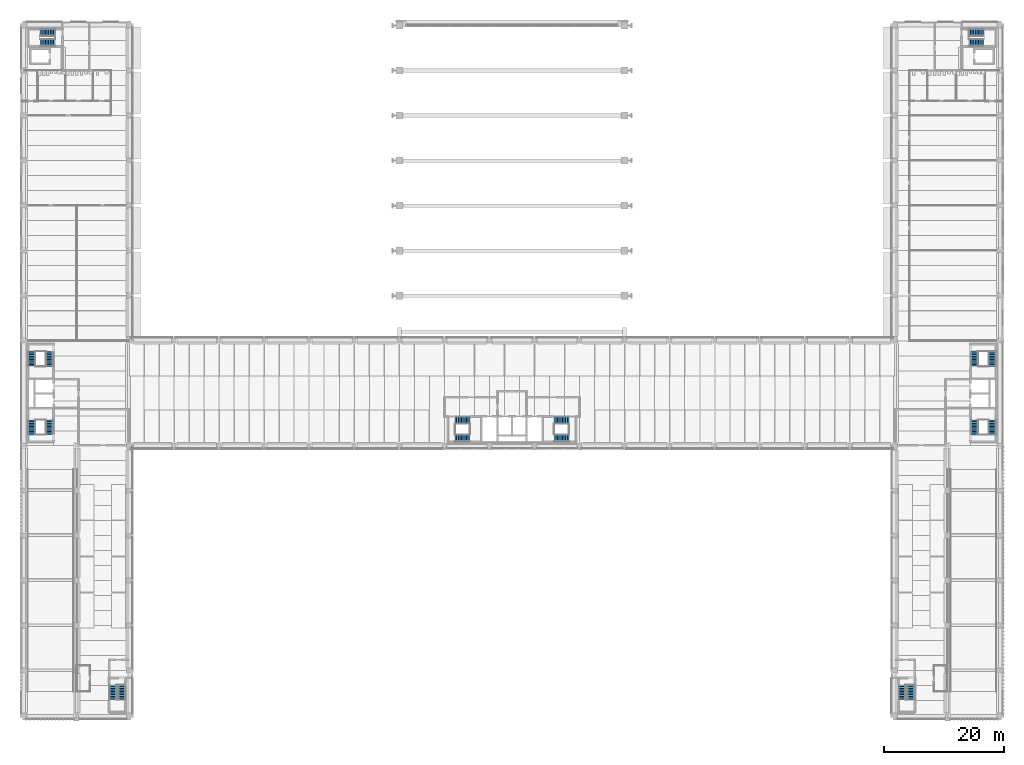
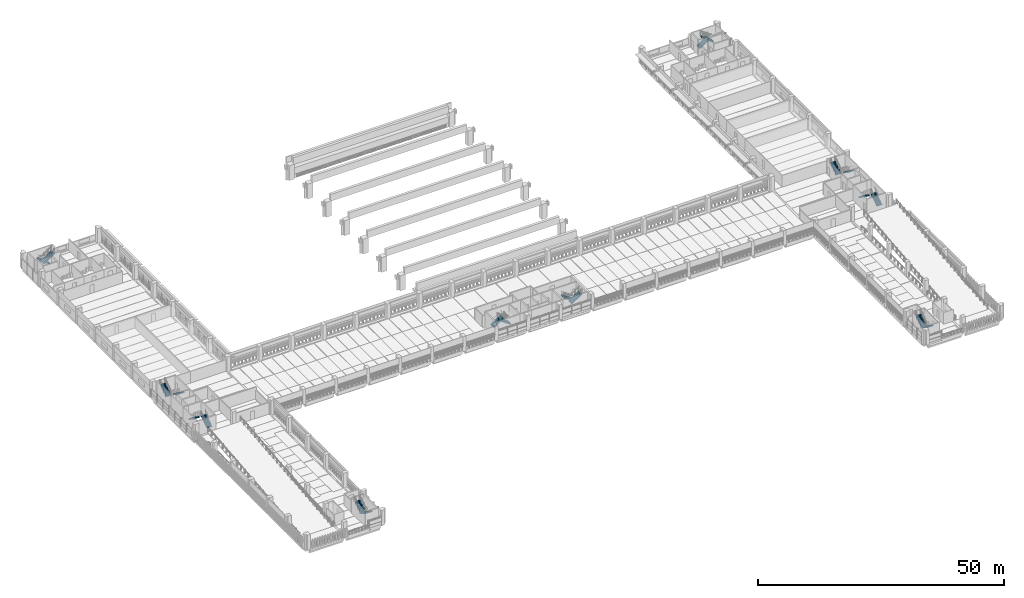
# One storey, part 40 of 61: 20 stair flights, 10 elements without a shape of their own.
"""IFC4 building model written with IfcOpenShell, lengths in metres."""

from ifc_helpers import new_model, si_unit, direction, frame, origin, place, context, subcontext, project, spatial, polyline, outline, extrude, material, type_object, element, aggregate, save


model = new_model("IFC4")

# Units and contexts
model_context = context("Model", 3, precision=1e-05, world=origin(), true_north=direction((0.0, 1.0)))
body_context = subcontext(model_context, "Body", "Model", "MODEL_VIEW")
ifc_project = project(units=[si_unit("LENGTHUNIT", "METRE"), si_unit("AREAUNIT", "SQUARE_METRE"), si_unit("VOLUMEUNIT", "CUBIC_METRE"), si_unit("PLANEANGLEUNIT", "RADIAN"), si_unit("MASSUNIT", "GRAM", prefix="KILO")], contexts=[model_context])

# Site, building, storey
site_placement = place(None, origin())
site = spatial("IfcSite", under=ifc_project, at=site_placement, CompositionType="ELEMENT")
building_placement = place(site_placement, origin())
building = spatial("IfcBuilding", under=site, at=building_placement, Name="Cour d'Honneur Mobility Palace", CompositionType="ELEMENT")
storey_placement = place(building_placement, frame((0.0, 0.0, 11.89990234375)))
storey = spatial("IfcBuildingStorey", under=building, at=storey_placement, Name="L03", CompositionType="ELEMENT", Elevation=11.89990234375)

# Stair, stair flights
ifc_material_1 = material(Name="Concrete C50", Category="concrete")
stair_type = type_object("IfcStairType", Name="Stair 20 risers", PredefinedType="HALF_TURN_STAIR", material=ifc_material_1)
stair_1_placement = place(storey_placement, origin())
stair_1 = element("IfcStair", 1, at=stair_1_placement, inside=storey, type_object=stair_type, Name="Stair ST-CW1", PredefinedType="HALF_TURN_STAIR")
ifc_material_2 = material(Name="Concrete C50", Category="concrete")
stair_flight_type = type_object("IfcStairFlightType", Name="Stair flight 1250", PredefinedType="STRAIGHT", material=ifc_material_2)
stair_flight_1_placement = place(storey_placement, frame((4.175048828125, 46.77490234375, 0.0), z_axis=(0.0, 0.0, 1.0), x_axis=(0.0, 1.0, 0.0)))
stair_flight_1 = element("IfcStairFlight", 2, at=stair_flight_1_placement, type_object=stair_flight_type, Name="ST-CW1 flight 1", NumberOfRisers=10, NumberOfTreads=9, PredefinedType="STRAIGHT", RiserHeight=0.185, TreadLength=0.27, context=body_context, shape_type="SweptSolid", body=[
    extrude(outline(polyline([(0.0, 0.0), (0.0, 0.18505859375), (0.27001953125, 0.18505859375), (0.27001953125, 0.3701171875), (0.5400390625, 0.3701171875), (0.5400390625, 0.554931640625), (0.81005859375, 0.554931640625), (0.81005859375, 0.739990234375), (1.080078125, 0.739990234375), (1.080078125, 0.925048828125), (1.35009765625, 0.925048828125), (1.35009765625, 1.110107421875), (1.6201171875, 1.110107421875), (1.6201171875, 1.294921875), (1.889892578125, 1.294921875), (1.889892578125, 1.47998046875), (2.159912109375, 1.47998046875), (2.159912109375, 1.6650390625), (2.429931640625, 1.6650390625), (2.47998046875, 1.6650390625), (2.47998046875, 1.4833984375), (0.26513671875, 0.0), (0.0, 0.0)])), frame((0.0, 0.625, 0.0), z_axis=(0.0, -1.0, 0.0), x_axis=(1.0, 0.0, 0.0)), (0.0, 0.0, 1.0), 1.25),
])
stair_flight_2_placement = place(storey_placement, frame((1.199951171875, 49.205078125, 1.85009765625), z_axis=(0.0, 0.0, 1.0), x_axis=(0.0, -1.0, 0.0)))
stair_flight_2 = element("IfcStairFlight", 3, at=stair_flight_2_placement, type_object=stair_flight_type, Name="ST-CW1 flight 2", NumberOfRisers=10, NumberOfTreads=9, PredefinedType="STRAIGHT", RiserHeight=0.185, TreadLength=0.27, context=body_context, shape_type="SweptSolid", body=[
    extrude(outline(polyline([(0.0, 0.0), (0.0, 0.18505859375), (0.27001953125, 0.18505859375), (0.27001953125, 0.3701171875), (0.5400390625, 0.3701171875), (0.5400390625, 0.554931640625), (0.81005859375, 0.554931640625), (0.81005859375, 0.739990234375), (1.080078125, 0.739990234375), (1.080078125, 0.925048828125), (1.35009765625, 0.925048828125), (1.35009765625, 1.110107421875), (1.6201171875, 1.110107421875), (1.6201171875, 1.294921875), (1.889892578125, 1.294921875), (1.889892578125, 1.47998046875), (2.159912109375, 1.47998046875), (2.159912109375, 1.6650390625), (2.429931640625, 1.6650390625), (2.47998046875, 1.6650390625), (2.47998046875, 1.4833984375), (0.26513671875, 0.0), (0.0, 0.0)])), frame((0.0, 0.625, 0.0), z_axis=(0.0, -1.0, 0.0), x_axis=(1.0, 0.0, 0.0)), (0.0, 0.0, 1.0), 1.25),
])
aggregate(stair_1, [stair_flight_1, stair_flight_2])

stair_2_placement = place(storey_placement, origin())
stair_2 = element("IfcStair", 4, at=stair_2_placement, inside=storey, type_object=stair_type, Name="Stair ST-CW2", PredefinedType="HALF_TURN_STAIR")
stair_flight_3_placement = place(storey_placement, frame((4.175048828125, 60.625, 0.0), z_axis=(0.0, 0.0, 1.0), x_axis=(0.0, -1.0, 0.0)))
stair_flight_3 = element("IfcStairFlight", 5, at=stair_flight_3_placement, type_object=stair_flight_type, Name="ST-CW2 flight 1", NumberOfRisers=10, NumberOfTreads=9, PredefinedType="STRAIGHT", RiserHeight=0.185, TreadLength=0.27, context=body_context, shape_type="SweptSolid", body=[
    extrude(outline(polyline([(0.0, 0.0), (0.0, 0.18505859375), (0.27001953125, 0.18505859375), (0.27001953125, 0.3701171875), (0.5400390625, 0.3701171875), (0.5400390625, 0.554931640625), (0.81005859375, 0.554931640625), (0.81005859375, 0.739990234375), (1.080078125, 0.739990234375), (1.080078125, 0.925048828125), (1.35009765625, 0.925048828125), (1.35009765625, 1.110107421875), (1.6201171875, 1.110107421875), (1.6201171875, 1.294921875), (1.889892578125, 1.294921875), (1.889892578125, 1.47998046875), (2.159912109375, 1.47998046875), (2.159912109375, 1.6650390625), (2.429931640625, 1.6650390625), (2.47998046875, 1.6650390625), (2.47998046875, 1.4833984375), (0.26513671875, 0.0), (0.0, 0.0)])), frame((0.0, 0.625, 0.0), z_axis=(0.0, -1.0, 0.0), x_axis=(1.0, 0.0, 0.0)), (0.0, 0.0, 1.0), 1.25),
])
stair_flight_4_placement = place(storey_placement, frame((1.199951171875, 58.195068359375, 1.85009765625), z_axis=(0.0, 0.0, 1.0), x_axis=(0.0, 1.0, 0.0)))
stair_flight_4 = element("IfcStairFlight", 6, at=stair_flight_4_placement, type_object=stair_flight_type, Name="ST-CW2 flight 2", NumberOfRisers=10, NumberOfTreads=9, PredefinedType="STRAIGHT", RiserHeight=0.185, TreadLength=0.27, context=body_context, shape_type="SweptSolid", body=[
    extrude(outline(polyline([(0.0, 0.0), (0.0, 0.18505859375), (0.27001953125, 0.18505859375), (0.27001953125, 0.3701171875), (0.5400390625, 0.3701171875), (0.5400390625, 0.554931640625), (0.81005859375, 0.554931640625), (0.81005859375, 0.739990234375), (1.080078125, 0.739990234375), (1.080078125, 0.925048828125), (1.35009765625, 0.925048828125), (1.35009765625, 1.110107421875), (1.6201171875, 1.110107421875), (1.6201171875, 1.294921875), (1.889892578125, 1.294921875), (1.889892578125, 1.47998046875), (2.159912109375, 1.47998046875), (2.159912109375, 1.6650390625), (2.429931640625, 1.6650390625), (2.47998046875, 1.6650390625), (2.47998046875, 1.4833984375), (0.26513671875, 0.0), (0.0, 0.0)])), frame((0.0, 0.625, 0.0), z_axis=(0.0, -1.0, 0.0), x_axis=(1.0, 0.0, 0.0)), (0.0, 0.0, 1.0), 1.25),
])
aggregate(stair_2, [stair_flight_3, stair_flight_4])

stair_3_placement = place(storey_placement, origin())
stair_3 = element("IfcStair", 7, at=stair_3_placement, inside=storey, type_object=stair_type, Name="Stair ST-CE1", PredefinedType="HALF_TURN_STAIR")
stair_flight_5_placement = place(storey_placement, frame((161.10009765625, 46.77490234375, 0.0), z_axis=(0.0, 0.0, 1.0), x_axis=(0.0, 1.0, 0.0)))
stair_flight_5 = element("IfcStairFlight", 8, at=stair_flight_5_placement, type_object=stair_flight_type, Name="ST-CE1 flight 1", NumberOfRisers=10, NumberOfTreads=9, PredefinedType="STRAIGHT", RiserHeight=0.185, TreadLength=0.27, context=body_context, shape_type="SweptSolid", body=[
    extrude(outline(polyline([(0.0, 0.0), (0.0, 0.18505859375), (0.27001953125, 0.18505859375), (0.27001953125, 0.3701171875), (0.5400390625, 0.3701171875), (0.5400390625, 0.554931640625), (0.81005859375, 0.554931640625), (0.81005859375, 0.739990234375), (1.080078125, 0.739990234375), (1.080078125, 0.925048828125), (1.35009765625, 0.925048828125), (1.35009765625, 1.110107421875), (1.6201171875, 1.110107421875), (1.6201171875, 1.294921875), (1.889892578125, 1.294921875), (1.889892578125, 1.47998046875), (2.159912109375, 1.47998046875), (2.159912109375, 1.6650390625), (2.429931640625, 1.6650390625), (2.47998046875, 1.6650390625), (2.47998046875, 1.4833984375), (0.26513671875, 0.0), (0.0, 0.0)])), frame((0.0, 0.625, 0.0), z_axis=(0.0, -1.0, 0.0), x_axis=(1.0, 0.0, 0.0)), (0.0, 0.0, 1.0), 1.25),
])
stair_flight_6_placement = place(storey_placement, frame((158.125, 49.205078125, 1.85009765625), z_axis=(0.0, 0.0, 1.0), x_axis=(0.0, -1.0, 0.0)))
stair_flight_6 = element("IfcStairFlight", 9, at=stair_flight_6_placement, type_object=stair_flight_type, Name="ST-CE1 flight 2", NumberOfRisers=10, NumberOfTreads=9, PredefinedType="STRAIGHT", RiserHeight=0.185, TreadLength=0.27, context=body_context, shape_type="SweptSolid", body=[
    extrude(outline(polyline([(0.0, 0.0), (0.0, 0.18505859375), (0.27001953125, 0.18505859375), (0.27001953125, 0.3701171875), (0.5400390625, 0.3701171875), (0.5400390625, 0.554931640625), (0.81005859375, 0.554931640625), (0.81005859375, 0.739990234375), (1.080078125, 0.739990234375), (1.080078125, 0.925048828125), (1.35009765625, 0.925048828125), (1.35009765625, 1.110107421875), (1.6201171875, 1.110107421875), (1.6201171875, 1.294921875), (1.889892578125, 1.294921875), (1.889892578125, 1.47998046875), (2.159912109375, 1.47998046875), (2.159912109375, 1.6650390625), (2.429931640625, 1.6650390625), (2.47998046875, 1.6650390625), (2.47998046875, 1.4833984375), (0.26513671875, 0.0), (0.0, 0.0)])), frame((0.0, 0.625, 0.0), z_axis=(0.0, -1.0, 0.0), x_axis=(1.0, 0.0, 0.0)), (0.0, 0.0, 1.0), 1.25),
])
aggregate(stair_3, [stair_flight_5, stair_flight_6])

stair_4_placement = place(storey_placement, origin())
stair_4 = element("IfcStair", 10, at=stair_4_placement, inside=storey, type_object=stair_type, Name="Stair ST-CE2", PredefinedType="HALF_TURN_STAIR")
stair_flight_7_placement = place(storey_placement, frame((161.10009765625, 60.625, 0.0), z_axis=(0.0, 0.0, 1.0), x_axis=(0.0, -1.0, 0.0)))
stair_flight_7 = element("IfcStairFlight", 11, at=stair_flight_7_placement, type_object=stair_flight_type, Name="ST-CE2 flight 1", NumberOfRisers=10, NumberOfTreads=9, PredefinedType="STRAIGHT", RiserHeight=0.185, TreadLength=0.27, context=body_context, shape_type="SweptSolid", body=[
    extrude(outline(polyline([(0.0, 0.0), (0.0, 0.18505859375), (0.27001953125, 0.18505859375), (0.27001953125, 0.3701171875), (0.5400390625, 0.3701171875), (0.5400390625, 0.554931640625), (0.81005859375, 0.554931640625), (0.81005859375, 0.739990234375), (1.080078125, 0.739990234375), (1.080078125, 0.925048828125), (1.35009765625, 0.925048828125), (1.35009765625, 1.110107421875), (1.6201171875, 1.110107421875), (1.6201171875, 1.294921875), (1.889892578125, 1.294921875), (1.889892578125, 1.47998046875), (2.159912109375, 1.47998046875), (2.159912109375, 1.6650390625), (2.429931640625, 1.6650390625), (2.47998046875, 1.6650390625), (2.47998046875, 1.4833984375), (0.26513671875, 0.0), (0.0, 0.0)])), frame((0.0, 0.625, 0.0), z_axis=(0.0, -1.0, 0.0), x_axis=(1.0, 0.0, 0.0)), (0.0, 0.0, 1.0), 1.25),
])
stair_flight_8_placement = place(storey_placement, frame((158.125, 58.195068359375, 1.85009765625), z_axis=(0.0, 0.0, 1.0), x_axis=(0.0, 1.0, 0.0)))
stair_flight_8 = element("IfcStairFlight", 12, at=stair_flight_8_placement, type_object=stair_flight_type, Name="ST-CE2 flight 2", NumberOfRisers=10, NumberOfTreads=9, PredefinedType="STRAIGHT", RiserHeight=0.185, TreadLength=0.27, context=body_context, shape_type="SweptSolid", body=[
    extrude(outline(polyline([(0.0, 0.0), (0.0, 0.18505859375), (0.27001953125, 0.18505859375), (0.27001953125, 0.3701171875), (0.5400390625, 0.3701171875), (0.5400390625, 0.554931640625), (0.81005859375, 0.554931640625), (0.81005859375, 0.739990234375), (1.080078125, 0.739990234375), (1.080078125, 0.925048828125), (1.35009765625, 0.925048828125), (1.35009765625, 1.110107421875), (1.6201171875, 1.110107421875), (1.6201171875, 1.294921875), (1.889892578125, 1.294921875), (1.889892578125, 1.47998046875), (2.159912109375, 1.47998046875), (2.159912109375, 1.6650390625), (2.429931640625, 1.6650390625), (2.47998046875, 1.6650390625), (2.47998046875, 1.4833984375), (0.26513671875, 0.0), (0.0, 0.0)])), frame((0.0, 0.625, 0.0), z_axis=(0.0, -1.0, 0.0), x_axis=(1.0, 0.0, 0.0)), (0.0, 0.0, 1.0), 1.25),
])
aggregate(stair_4, [stair_flight_7, stair_flight_8])

stair_5_placement = place(storey_placement, origin())
stair_5 = element("IfcStair", 13, at=stair_5_placement, inside=storey, type_object=stair_type, Name="Stair ST-CC1", PredefinedType="HALF_TURN_STAIR")
stair_flight_9_placement = place(storey_placement, frame((71.675048828125, 49.175048828125, 0.0), z_axis=(0.0, 0.0, 1.0), x_axis=(1.0, 0.0, 0.0)))
stair_flight_9 = element("IfcStairFlight", 14, at=stair_flight_9_placement, type_object=stair_flight_type, Name="ST-CC1 flight 1", NumberOfRisers=10, NumberOfTreads=9, PredefinedType="STRAIGHT", RiserHeight=0.185, TreadLength=0.27, context=body_context, shape_type="SweptSolid", body=[
    extrude(outline(polyline([(0.0, 0.0), (0.0, 0.18505859375), (0.27001953125, 0.18505859375), (0.27001953125, 0.3701171875), (0.5400390625, 0.3701171875), (0.5400390625, 0.554931640625), (0.81005859375, 0.554931640625), (0.81005859375, 0.739990234375), (1.080078125, 0.739990234375), (1.080078125, 0.925048828125), (1.35009765625, 0.925048828125), (1.35009765625, 1.110107421875), (1.6201171875, 1.110107421875), (1.6201171875, 1.294921875), (1.889892578125, 1.294921875), (1.889892578125, 1.47998046875), (2.159912109375, 1.47998046875), (2.159912109375, 1.6650390625), (2.429931640625, 1.6650390625), (2.47998046875, 1.6650390625), (2.47998046875, 1.4833984375), (0.26513671875, 0.0), (0.0, 0.0)])), frame((0.0, 0.625, 0.0), z_axis=(0.0, -1.0, 0.0), x_axis=(1.0, 0.0, 0.0)), (0.0, 0.0, 1.0), 1.25),
])
stair_flight_10_placement = place(storey_placement, frame((74.10498046875, 46.199951171875, 1.85009765625), z_axis=(0.0, 0.0, 1.0), x_axis=(-1.0, 0.0, 0.0)))
stair_flight_10 = element("IfcStairFlight", 15, at=stair_flight_10_placement, type_object=stair_flight_type, Name="ST-CC1 flight 2", NumberOfRisers=10, NumberOfTreads=9, PredefinedType="STRAIGHT", RiserHeight=0.185, TreadLength=0.27, context=body_context, shape_type="SweptSolid", body=[
    extrude(outline(polyline([(0.0, 0.0), (0.0, 0.18505859375), (0.27001953125, 0.18505859375), (0.27001953125, 0.3701171875), (0.5400390625, 0.3701171875), (0.5400390625, 0.554931640625), (0.81005859375, 0.554931640625), (0.81005859375, 0.739990234375), (1.080078125, 0.739990234375), (1.080078125, 0.925048828125), (1.35009765625, 0.925048828125), (1.35009765625, 1.110107421875), (1.6201171875, 1.110107421875), (1.6201171875, 1.294921875), (1.889892578125, 1.294921875), (1.889892578125, 1.47998046875), (2.159912109375, 1.47998046875), (2.159912109375, 1.6650390625), (2.429931640625, 1.6650390625), (2.47998046875, 1.6650390625), (2.47998046875, 1.4833984375), (0.26513671875, 0.0), (0.0, 0.0)])), frame((0.0, 0.625, 0.0), z_axis=(0.0, -1.0, 0.0), x_axis=(1.0, 0.0, 0.0)), (0.0, 0.0, 1.0), 1.25),
])
aggregate(stair_5, [stair_flight_9, stair_flight_10])

stair_6_placement = place(storey_placement, origin())
stair_6 = element("IfcStair", 16, at=stair_6_placement, inside=storey, type_object=stair_type, Name="Stair ST-CC2", PredefinedType="HALF_TURN_STAIR")
stair_flight_11_placement = place(storey_placement, frame((90.625, 49.175048828125, 0.0), z_axis=(0.0, 0.0, 1.0), x_axis=(-1.0, 0.0, 0.0)))
stair_flight_11 = element("IfcStairFlight", 17, at=stair_flight_11_placement, type_object=stair_flight_type, Name="ST-CC2 flight 1", NumberOfRisers=10, NumberOfTreads=9, PredefinedType="STRAIGHT", RiserHeight=0.185, TreadLength=0.27, context=body_context, shape_type="SweptSolid", body=[
    extrude(outline(polyline([(0.0, 0.0), (0.0, 0.18505859375), (0.27001953125, 0.18505859375), (0.27001953125, 0.3701171875), (0.5400390625, 0.3701171875), (0.5400390625, 0.554931640625), (0.81005859375, 0.554931640625), (0.81005859375, 0.739990234375), (1.080078125, 0.739990234375), (1.080078125, 0.925048828125), (1.35009765625, 0.925048828125), (1.35009765625, 1.110107421875), (1.6201171875, 1.110107421875), (1.6201171875, 1.294921875), (1.889892578125, 1.294921875), (1.889892578125, 1.47998046875), (2.159912109375, 1.47998046875), (2.159912109375, 1.6650390625), (2.429931640625, 1.6650390625), (2.47998046875, 1.6650390625), (2.47998046875, 1.4833984375), (0.26513671875, 0.0), (0.0, 0.0)])), frame((0.0, 0.625, 0.0), z_axis=(0.0, -1.0, 0.0), x_axis=(1.0, 0.0, 0.0)), (0.0, 0.0, 1.0), 1.25),
])
stair_flight_12_placement = place(storey_placement, frame((88.195068359375, 46.199951171875, 1.85009765625), z_axis=(0.0, 0.0, 1.0), x_axis=(1.0, 0.0, 0.0)))
stair_flight_12 = element("IfcStairFlight", 18, at=stair_flight_12_placement, type_object=stair_flight_type, Name="ST-CC2 flight 2", NumberOfRisers=10, NumberOfTreads=9, PredefinedType="STRAIGHT", RiserHeight=0.185, TreadLength=0.27, context=body_context, shape_type="SweptSolid", body=[
    extrude(outline(polyline([(0.0, 0.0), (0.0, 0.18505859375), (0.27001953125, 0.18505859375), (0.27001953125, 0.3701171875), (0.5400390625, 0.3701171875), (0.5400390625, 0.554931640625), (0.81005859375, 0.554931640625), (0.81005859375, 0.739990234375), (1.080078125, 0.739990234375), (1.080078125, 0.925048828125), (1.35009765625, 0.925048828125), (1.35009765625, 1.110107421875), (1.6201171875, 1.110107421875), (1.6201171875, 1.294921875), (1.889892578125, 1.294921875), (1.889892578125, 1.47998046875), (2.159912109375, 1.47998046875), (2.159912109375, 1.6650390625), (2.429931640625, 1.6650390625), (2.47998046875, 1.6650390625), (2.47998046875, 1.4833984375), (0.26513671875, 0.0), (0.0, 0.0)])), frame((0.0, 0.625, 0.0), z_axis=(0.0, -1.0, 0.0), x_axis=(1.0, 0.0, 0.0)), (0.0, 0.0, 1.0), 1.25),
])
aggregate(stair_6, [stair_flight_11, stair_flight_12])

stair_7_placement = place(storey_placement, origin())
stair_7 = element("IfcStair", 19, at=stair_7_placement, inside=storey, type_object=stair_type, Name="Stair ST-NW1", PredefinedType="HALF_TURN_STAIR")
stair_flight_13_placement = place(storey_placement, frame((5.10009765625, 113.699951171875, 0.0), z_axis=(0.0, 0.0, 1.0), x_axis=(-1.0, 0.0, 0.0)))
stair_flight_13 = element("IfcStairFlight", 20, at=stair_flight_13_placement, type_object=stair_flight_type, Name="ST-NW1 flight 1", NumberOfRisers=10, NumberOfTreads=9, PredefinedType="STRAIGHT", RiserHeight=0.185, TreadLength=0.27, context=body_context, shape_type="SweptSolid", body=[
    extrude(outline(polyline([(0.0, 0.0), (0.0, 0.18505859375), (0.27001953125, 0.18505859375), (0.27001953125, 0.3701171875), (0.5400390625, 0.3701171875), (0.5400390625, 0.554931640625), (0.81005859375, 0.554931640625), (0.81005859375, 0.739990234375), (1.080078125, 0.739990234375), (1.080078125, 0.925048828125), (1.35009765625, 0.925048828125), (1.35009765625, 1.110107421875), (1.6201171875, 1.110107421875), (1.6201171875, 1.294921875), (1.889892578125, 1.294921875), (1.889892578125, 1.47998046875), (2.159912109375, 1.47998046875), (2.159912109375, 1.6650390625), (2.429931640625, 1.6650390625), (2.47998046875, 1.6650390625), (2.47998046875, 1.4833984375), (0.26513671875, 0.0), (0.0, 0.0)])), frame((0.0, 0.625, 0.0), z_axis=(0.0, -1.0, 0.0), x_axis=(1.0, 0.0, 0.0)), (0.0, 0.0, 1.0), 1.25),
])
stair_flight_14_placement = place(storey_placement, frame((2.669921875, 112.02490234375, 1.85009765625), z_axis=(0.0, 0.0, 1.0), x_axis=(1.0, 0.0, 0.0)))
stair_flight_14 = element("IfcStairFlight", 21, at=stair_flight_14_placement, type_object=stair_flight_type, Name="ST-NW1 flight 2", NumberOfRisers=10, NumberOfTreads=9, PredefinedType="STRAIGHT", RiserHeight=0.185, TreadLength=0.27, context=body_context, shape_type="SweptSolid", body=[
    extrude(outline(polyline([(0.0, 0.0), (0.0, 0.18505859375), (0.27001953125, 0.18505859375), (0.27001953125, 0.3701171875), (0.5400390625, 0.3701171875), (0.5400390625, 0.554931640625), (0.81005859375, 0.554931640625), (0.81005859375, 0.739990234375), (1.080078125, 0.739990234375), (1.080078125, 0.925048828125), (1.35009765625, 0.925048828125), (1.35009765625, 1.110107421875), (1.6201171875, 1.110107421875), (1.6201171875, 1.294921875), (1.889892578125, 1.294921875), (1.889892578125, 1.47998046875), (2.159912109375, 1.47998046875), (2.159912109375, 1.6650390625), (2.429931640625, 1.6650390625), (2.47998046875, 1.6650390625), (2.47998046875, 1.4833984375), (0.26513671875, 0.0), (0.0, 0.0)])), frame((0.0, 0.625, 0.0), z_axis=(0.0, -1.0, 0.0), x_axis=(1.0, 0.0, 0.0)), (0.0, 0.0, 1.0), 1.25),
])
aggregate(stair_7, [stair_flight_13, stair_flight_14])

stair_8_placement = place(storey_placement, origin())
stair_8 = element("IfcStair", 22, at=stair_8_placement, inside=storey, type_object=stair_type, Name="Stair ST-NE1", PredefinedType="HALF_TURN_STAIR")
stair_flight_15_placement = place(storey_placement, frame((157.199951171875, 113.699951171875, 0.0), z_axis=(0.0, 0.0, 1.0), x_axis=(1.0, 0.0, 0.0)))
stair_flight_15 = element("IfcStairFlight", 23, at=stair_flight_15_placement, type_object=stair_flight_type, Name="ST-NE1 flight 1", NumberOfRisers=10, NumberOfTreads=9, PredefinedType="STRAIGHT", RiserHeight=0.185, TreadLength=0.27, context=body_context, shape_type="SweptSolid", body=[
    extrude(outline(polyline([(0.0, 0.0), (0.0, 0.18505859375), (0.27001953125, 0.18505859375), (0.27001953125, 0.3701171875), (0.5400390625, 0.3701171875), (0.5400390625, 0.554931640625), (0.81005859375, 0.554931640625), (0.81005859375, 0.739990234375), (1.080078125, 0.739990234375), (1.080078125, 0.925048828125), (1.35009765625, 0.925048828125), (1.35009765625, 1.110107421875), (1.6201171875, 1.110107421875), (1.6201171875, 1.294921875), (1.889892578125, 1.294921875), (1.889892578125, 1.47998046875), (2.159912109375, 1.47998046875), (2.159912109375, 1.6650390625), (2.429931640625, 1.6650390625), (2.47998046875, 1.6650390625), (2.47998046875, 1.4833984375), (0.26513671875, 0.0), (0.0, 0.0)])), frame((0.0, 0.625, 0.0), z_axis=(0.0, -1.0, 0.0), x_axis=(1.0, 0.0, 0.0)), (0.0, 0.0, 1.0), 1.25),
])
stair_flight_16_placement = place(storey_placement, frame((159.6298828125, 112.02490234375, 1.85009765625), z_axis=(0.0, 0.0, 1.0), x_axis=(-1.0, 0.0, 0.0)))
stair_flight_16 = element("IfcStairFlight", 24, at=stair_flight_16_placement, type_object=stair_flight_type, Name="ST-NE1 flight 2", NumberOfRisers=10, NumberOfTreads=9, PredefinedType="STRAIGHT", RiserHeight=0.185, TreadLength=0.27, context=body_context, shape_type="SweptSolid", body=[
    extrude(outline(polyline([(0.0, 0.0), (0.0, 0.18505859375), (0.27001953125, 0.18505859375), (0.27001953125, 0.3701171875), (0.5400390625, 0.3701171875), (0.5400390625, 0.554931640625), (0.81005859375, 0.554931640625), (0.81005859375, 0.739990234375), (1.080078125, 0.739990234375), (1.080078125, 0.925048828125), (1.35009765625, 0.925048828125), (1.35009765625, 1.110107421875), (1.6201171875, 1.110107421875), (1.6201171875, 1.294921875), (1.889892578125, 1.294921875), (1.889892578125, 1.47998046875), (2.159912109375, 1.47998046875), (2.159912109375, 1.6650390625), (2.429931640625, 1.6650390625), (2.47998046875, 1.6650390625), (2.47998046875, 1.4833984375), (0.26513671875, 0.0), (0.0, 0.0)])), frame((0.0, 0.625, 0.0), z_axis=(0.0, -1.0, 0.0), x_axis=(1.0, 0.0, 0.0)), (0.0, 0.0, 1.0), 1.25),
])
aggregate(stair_8, [stair_flight_15, stair_flight_16])

stair_9_placement = place(storey_placement, origin())
stair_9 = element("IfcStair", 25, at=stair_9_placement, inside=storey, type_object=stair_type, Name="Stair ST-RW1", PredefinedType="HALF_TURN_STAIR")
stair_flight_17_placement = place(storey_placement, frame((16.199951171875, 5.10009765625, 0.0), z_axis=(0.0, 0.0, 1.0), x_axis=(0.0, -1.0, 0.0)))
stair_flight_17 = element("IfcStairFlight", 26, at=stair_flight_17_placement, type_object=stair_flight_type, Name="ST-RW1 flight 1", NumberOfRisers=10, NumberOfTreads=9, PredefinedType="STRAIGHT", RiserHeight=0.185, TreadLength=0.27, context=body_context, shape_type="SweptSolid", body=[
    extrude(outline(polyline([(0.0, 0.0), (0.0, 0.18505859375), (0.27001953125, 0.18505859375), (0.27001953125, 0.3701171875), (0.5400390625, 0.3701171875), (0.5400390625, 0.554931640625), (0.81005859375, 0.554931640625), (0.81005859375, 0.739990234375), (1.080078125, 0.739990234375), (1.080078125, 0.925048828125), (1.35009765625, 0.925048828125), (1.35009765625, 1.110107421875), (1.6201171875, 1.110107421875), (1.6201171875, 1.294921875), (1.889892578125, 1.294921875), (1.889892578125, 1.47998046875), (2.159912109375, 1.47998046875), (2.159912109375, 1.6650390625), (2.429931640625, 1.6650390625), (2.47998046875, 1.6650390625), (2.47998046875, 1.4833984375), (0.26513671875, 0.0), (0.0, 0.0)])), frame((0.0, 0.625, 0.0), z_axis=(0.0, -1.0, 0.0), x_axis=(1.0, 0.0, 0.0)), (0.0, 0.0, 1.0), 1.25),
])
stair_flight_18_placement = place(storey_placement, frame((14.72509765625, 2.669921875, 1.85009765625), z_axis=(0.0, 0.0, 1.0), x_axis=(0.0, 1.0, 0.0)))
stair_flight_18 = element("IfcStairFlight", 27, at=stair_flight_18_placement, type_object=stair_flight_type, Name="ST-RW1 flight 2", NumberOfRisers=10, NumberOfTreads=9, PredefinedType="STRAIGHT", RiserHeight=0.185, TreadLength=0.27, context=body_context, shape_type="SweptSolid", body=[
    extrude(outline(polyline([(0.0, 0.0), (0.0, 0.18505859375), (0.27001953125, 0.18505859375), (0.27001953125, 0.3701171875), (0.5400390625, 0.3701171875), (0.5400390625, 0.554931640625), (0.81005859375, 0.554931640625), (0.81005859375, 0.739990234375), (1.080078125, 0.739990234375), (1.080078125, 0.925048828125), (1.35009765625, 0.925048828125), (1.35009765625, 1.110107421875), (1.6201171875, 1.110107421875), (1.6201171875, 1.294921875), (1.889892578125, 1.294921875), (1.889892578125, 1.47998046875), (2.159912109375, 1.47998046875), (2.159912109375, 1.6650390625), (2.429931640625, 1.6650390625), (2.47998046875, 1.6650390625), (2.47998046875, 1.4833984375), (0.26513671875, 0.0), (0.0, 0.0)])), frame((0.0, 0.625, 0.0), z_axis=(0.0, -1.0, 0.0), x_axis=(1.0, 0.0, 0.0)), (0.0, 0.0, 1.0), 1.25),
])
aggregate(stair_9, [stair_flight_17, stair_flight_18])

stair_10_placement = place(storey_placement, origin())
stair_10 = element("IfcStair", 28, at=stair_10_placement, inside=storey, type_object=stair_type, Name="Stair ST-RE1", PredefinedType="HALF_TURN_STAIR")
stair_flight_19_placement = place(storey_placement, frame((147.574951171875, 5.10009765625, 0.0), z_axis=(0.0, 0.0, 1.0), x_axis=(0.0, -1.0, 0.0)))
stair_flight_19 = element("IfcStairFlight", 29, at=stair_flight_19_placement, type_object=stair_flight_type, Name="ST-RE1 flight 1", NumberOfRisers=10, NumberOfTreads=9, PredefinedType="STRAIGHT", RiserHeight=0.185, TreadLength=0.27, context=body_context, shape_type="SweptSolid", body=[
    extrude(outline(polyline([(0.0, 0.0), (0.0, 0.18505859375), (0.27001953125, 0.18505859375), (0.27001953125, 0.3701171875), (0.5400390625, 0.3701171875), (0.5400390625, 0.554931640625), (0.81005859375, 0.554931640625), (0.81005859375, 0.739990234375), (1.080078125, 0.739990234375), (1.080078125, 0.925048828125), (1.35009765625, 0.925048828125), (1.35009765625, 1.110107421875), (1.6201171875, 1.110107421875), (1.6201171875, 1.294921875), (1.889892578125, 1.294921875), (1.889892578125, 1.47998046875), (2.159912109375, 1.47998046875), (2.159912109375, 1.6650390625), (2.429931640625, 1.6650390625), (2.47998046875, 1.6650390625), (2.47998046875, 1.4833984375), (0.26513671875, 0.0), (0.0, 0.0)])), frame((0.0, 0.625, 0.0), z_axis=(0.0, -1.0, 0.0), x_axis=(1.0, 0.0, 0.0)), (0.0, 0.0, 1.0), 1.25),
])
stair_flight_20_placement = place(storey_placement, frame((146.10009765625, 2.669921875, 1.85009765625), z_axis=(0.0, 0.0, 1.0), x_axis=(0.0, 1.0, 0.0)))
stair_flight_20 = element("IfcStairFlight", 30, at=stair_flight_20_placement, type_object=stair_flight_type, Name="ST-RE1 flight 2", NumberOfRisers=10, NumberOfTreads=9, PredefinedType="STRAIGHT", RiserHeight=0.185, TreadLength=0.27, context=body_context, shape_type="SweptSolid", body=[
    extrude(outline(polyline([(0.0, 0.0), (0.0, 0.18505859375), (0.27001953125, 0.18505859375), (0.27001953125, 0.3701171875), (0.5400390625, 0.3701171875), (0.5400390625, 0.554931640625), (0.81005859375, 0.554931640625), (0.81005859375, 0.739990234375), (1.080078125, 0.739990234375), (1.080078125, 0.925048828125), (1.35009765625, 0.925048828125), (1.35009765625, 1.110107421875), (1.6201171875, 1.110107421875), (1.6201171875, 1.294921875), (1.889892578125, 1.294921875), (1.889892578125, 1.47998046875), (2.159912109375, 1.47998046875), (2.159912109375, 1.6650390625), (2.429931640625, 1.6650390625), (2.47998046875, 1.6650390625), (2.47998046875, 1.4833984375), (0.26513671875, 0.0), (0.0, 0.0)])), frame((0.0, 0.625, 0.0), z_axis=(0.0, -1.0, 0.0), x_axis=(1.0, 0.0, 0.0)), (0.0, 0.0, 1.0), 1.25),
])
aggregate(stair_10, [stair_flight_19, stair_flight_20])

save(model, "model.ifc")
